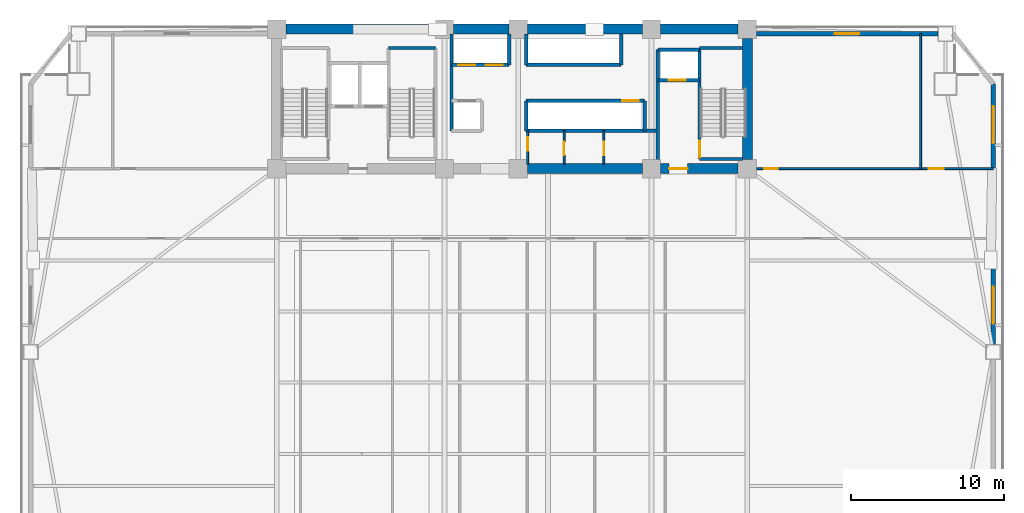
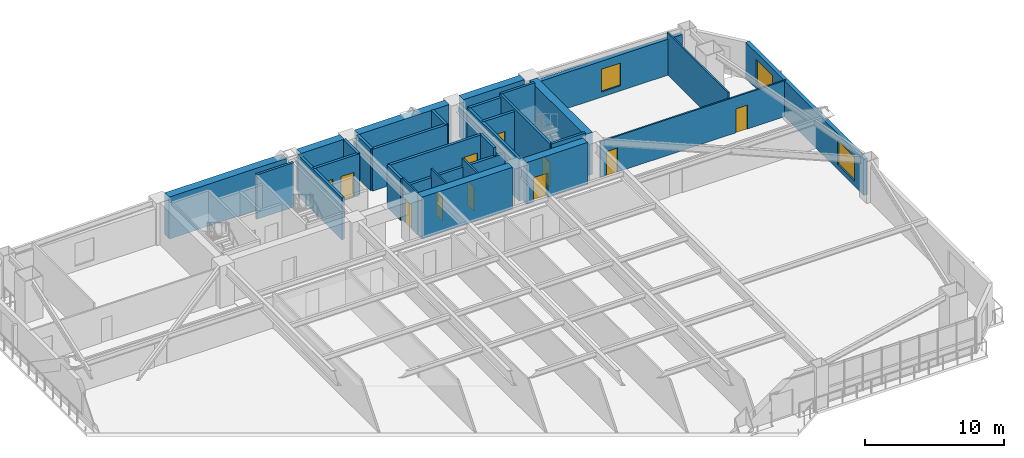
# One storey, part 11 of 18: 31 walls, 11 doors, 3 windows, 14 openings.
"""IFC4 building model written with IfcOpenShell, lengths in metres."""

from ifc_helpers import new_model, si_unit, direction, frame, frame_2d, origin, place, context, subcontext, project, spatial, rectangle, extrude, source, transform, mapped, material, layer, layer_set, type_object, element, fill, save


model = new_model("IFC4")

# Units and contexts
model_context = context("Model", 3, precision=1e-05, world=origin(), true_north=direction((0.0, 1.0)))
body_context = subcontext(model_context, "Body", "Model", "MODEL_VIEW")
ifc_project = project(units=[si_unit("LENGTHUNIT", "METRE"), si_unit("AREAUNIT", "SQUARE_METRE"), si_unit("VOLUMEUNIT", "CUBIC_METRE"), si_unit("PLANEANGLEUNIT", "RADIAN"), si_unit("MASSUNIT", "GRAM", prefix="KILO")], contexts=[model_context])

# Site, building, storey
site_placement = place(None, origin())
site = spatial("IfcSite", under=ifc_project, at=site_placement, CompositionType="ELEMENT")
building_placement = place(site_placement, origin())
building = spatial("IfcBuilding", under=site, at=building_placement, Name="Giltprow Tower", CompositionType="ELEMENT")
storey_placement = place(building_placement, frame((0.0, 0.0, 65.0)))
storey = spatial("IfcBuildingStorey", under=building, at=storey_placement, Name="L16", CompositionType="ELEMENT", Elevation=65.0)

# Wall, openings, windows
ifc_material_1 = material(Name="Precast concrete C40", Category="concrete")
ifc_layer_1 = layer(ifc_material_1, 0.320068359375, Name="Precast concrete C40")
ifc_layer_set_1 = layer_set([ifc_layer_1], Name="Precast concrete C40")
wall_type_1 = type_object("IfcWallType", Name="EW-TOW-STONE-320", PredefinedType="SOLIDWALL", material=ifc_layer_set_1)
wall_1_placement = place(storey_placement, frame((66.595947265625, 25.990966796875, 0.0), z_axis=(0.0, 0.0, 1.0), x_axis=(0.0, 1.0, 0.0)))
wall_1 = element("IfcWall", 1, at=wall_1_placement, inside=storey, type_object=wall_type_1, Name="L16 E Wing Masonry Wall 2", PredefinedType="SOLIDWALL", context=body_context, shape_type="SweptSolid", body=[
    extrude(rectangle(XDim=16.987060546875, YDim=0.320068359375, at=frame_2d((8.49365234375, 0.0))), origin(), (0.0, 0.0, 1.0), 3.159912109375),
])
opening_1_placement = place(wall_1_placement, frame((1.35302734375, 0.0, 0.449951171875)))
opening_1 = element("IfcOpeningElement", 2, at=opening_1_placement, cuts=wall_1, Name="Opening WN29", PredefinedType="OPENING", context=body_context, shape_type="SweptSolid", body=[
    extrude(rectangle(XDim=2.39990234375, YDim=2.10009765625, at=frame_2d((1.199951171875, 1.050048828125))), frame((0.0, 0.169921875, 0.0), z_axis=(0.0, -1.0, 0.0), x_axis=(1.0, 0.0, 0.0)), (0.0, 0.0, 1.0), 0.340087890625),
])
opening_2_placement = place(wall_1_placement, frame((13.116943359375, 0.0, 0.449951171875)))
opening_2 = element("IfcOpeningElement", 3, at=opening_2_placement, cuts=wall_1, Name="Opening WN29", PredefinedType="OPENING", context=body_context, shape_type="SweptSolid", body=[
    extrude(rectangle(XDim=2.39990234375, YDim=2.10009765625, at=frame_2d((1.199951171875, 1.050048828125))), frame((0.0, 0.169921875, 0.0), z_axis=(0.0, -1.0, 0.0), x_axis=(1.0, 0.0, 0.0)), (0.0, 0.0, 1.0), 0.340087890625),
])
ifc_material_2 = material(Name="Insulated glass", Category="glass")
window_type_1 = type_object("IfcWindowType", Name="WN-OFF-2400x2100", PartitioningType="DOUBLE_PANEL_VERTICAL", PredefinedType="WINDOW", material=ifc_material_2)
shared_shape_1 = source(origin(), body_context, "Body", "SweptSolid", [
    extrude(rectangle(XDim=2.39990234375, YDim=2.10009765625, at=frame_2d((1.199951171875, 1.050048828125))), frame((0.0, 0.030029296875, 0.0), z_axis=(0.0, -1.0, 0.0), x_axis=(1.0, 0.0, 0.0)), (0.0, 0.0, 1.0), 0.06005859375),
])
window_1_placement = place(opening_1_placement, origin())
window_1 = element("IfcWindow", 4, at=window_1_placement, inside=storey, type_object=window_type_1, Name="L16 E Wing Window 2-1", OverallHeight=2.10009765625, OverallWidth=2.39990234375, PartitioningType="SINGLE_PANEL", PredefinedType="WINDOW", context=body_context, shape_type="MappedRepresentation", body=[
    mapped(shared_shape_1, transform((0.0, 0.0, 0.0), x_axis=(1.0, 0.0, 0.0), y_axis=(0.0, 1.0, 0.0), z_axis=(0.0, 0.0, 1.0), scale=1.0)),
])
fill(opening_1, window_1)
window_2_placement = place(opening_2_placement, origin())
window_2 = element("IfcWindow", 5, at=window_2_placement, inside=storey, type_object=window_type_1, Name="L16 E Wing Window 2-2", OverallHeight=2.10009765625, OverallWidth=2.39990234375, PartitioningType="SINGLE_PANEL", PredefinedType="WINDOW", context=body_context, shape_type="MappedRepresentation", body=[
    mapped(shared_shape_1, transform((0.0, 0.0, 0.0), x_axis=(1.0, 0.0, 0.0), y_axis=(0.0, 1.0, 0.0), z_axis=(0.0, 0.0, 1.0), scale=1.0)),
])
fill(opening_2, window_2)

# Wall, opening, window
wall_2_placement = place(storey_placement, frame((51.14990234375, 46.25, 0.0), z_axis=(0.0, 0.0, 1.0), x_axis=(1.0, 0.0, 0.0)))
wall_2 = element("IfcWall", 6, at=wall_2_placement, inside=storey, type_object=wall_type_1, Name="L16 North-East Wing Wall", PredefinedType="SOLIDWALL", context=body_context, shape_type="SweptSolid", body=[
    extrude(rectangle(XDim=11.82421875, YDim=0.320068359375, at=frame_2d((5.912109375, 0.0))), origin(), (0.0, 0.0, 1.0), 3.159912109375),
])
opening_3_placement = place(wall_2_placement, frame((5.112060546875, 0.0, 0.449951171875)))
opening_3 = element("IfcOpeningElement", 7, at=opening_3_placement, cuts=wall_2, Name="Opening WN17", PredefinedType="OPENING", context=body_context, shape_type="SweptSolid", body=[
    extrude(rectangle(XDim=1.60009765625, YDim=2.0, at=frame_2d((0.800048828125, 1.0))), frame((0.0, 0.169921875, 0.0), z_axis=(0.0, -1.0, 0.0), x_axis=(1.0, 0.0, 0.0)), (0.0, 0.0, 1.0), 0.340087890625),
])
window_type_2 = type_object("IfcWindowType", Name="WN-COR-1600x2000", PartitioningType="SINGLE_PANEL", PredefinedType="WINDOW", material=ifc_material_2)
shared_shape_2 = source(origin(), body_context, "Body", "SweptSolid", [
    extrude(rectangle(XDim=1.60009765625, YDim=2.0, at=frame_2d((0.800048828125, 1.0))), frame((0.0, 0.030029296875, 0.0), z_axis=(0.0, -1.0, 0.0), x_axis=(1.0, 0.0, 0.0)), (0.0, 0.0, 1.0), 0.06005859375),
])
window_3_placement = place(opening_3_placement, origin())
window_3 = element("IfcWindow", 8, at=window_3_placement, inside=storey, type_object=window_type_2, Name="L16 North-East Window", OverallHeight=2.0, OverallWidth=1.60009765625, PartitioningType="SINGLE_PANEL", PredefinedType="WINDOW", context=body_context, shape_type="MappedRepresentation", body=[
    mapped(shared_shape_2, transform((0.0, 0.0, 0.0), x_axis=(1.0, 0.0, 0.0), y_axis=(0.0, 1.0, 0.0), z_axis=(0.0, 0.0, 1.0), scale=1.0)),
])
fill(opening_3, window_3)

# Wall, opening, door
ifc_material_3 = material(Name="Concrete C40", Category="concrete")
ifc_layer_2 = layer(ifc_material_3, 0.219970703125, Name="Concrete C40")
ifc_layer_set_2 = layer_set([ifc_layer_2], Name="Concrete C40")
wall_type_2 = type_object("IfcWallType", Name="IW-SHAFT-220", PredefinedType="SOLIDWALL", material=ifc_layer_set_2)
wall_3_placement = place(storey_placement, frame((44.719970703125, 43.219970703125, 0.0), z_axis=(0.0, 0.0, 1.0), x_axis=(1.0, 0.0, 0.0)))
wall_3 = element("IfcWall", 9, at=wall_3_placement, inside=storey, type_object=wall_type_2, Name="L16 FFL2 Front Shaft Wall", PredefinedType="SOLIDWALL", context=body_context, shape_type="SweptSolid", body=[
    extrude(rectangle(XDim=2.719970703125, YDim=0.219970703125, at=frame_2d((1.35986328125, 0.0))), origin(), (0.0, 0.0, 1.0), 3.679931640625),
])
opening_4_placement = place(wall_3_placement, frame((0.699951171875, 0.0, 0.0)))
opening_4 = element("IfcOpeningElement", 10, at=opening_4_placement, cuts=wall_3, Name="Opening LD-11", PredefinedType="OPENING", context=body_context, shape_type="SweptSolid", body=[
    extrude(rectangle(XDim=1.10009765625, YDim=2.199951171875, at=frame_2d((0.550048828125, 1.10009765625))), frame((0.0, 0.119873046875, 0.0), z_axis=(0.0, -1.0, 0.0), x_axis=(1.0, 0.0, 0.0)), (0.0, 0.0, 1.0), 0.239990234375),
])
ifc_material_4 = material(Name="Stainless steel", Category="steel")
door_type_1 = type_object("IfcDoorType", Name="DR-LIFT-LD1100", OperationType="SLIDING_TO_LEFT", PredefinedType="DOOR", material=ifc_material_4)
shared_shape_3 = source(origin(), body_context, "Body", "SweptSolid", [
    extrude(rectangle(XDim=1.10009765625, YDim=2.199951171875, at=frame_2d((0.550048828125, 1.10009765625))), frame((0.0, 0.02490234375, 0.0), z_axis=(0.0, -1.0, 0.0), x_axis=(1.0, 0.0, 0.0)), (0.0, 0.0, 1.0), 0.050048828125),
])
door_1_placement = place(opening_4_placement, origin())
door_1 = element("IfcDoor", 11, at=door_1_placement, inside=storey, type_object=door_type_1, Name="L16 FFL2 Landing Door", OperationType="SLIDING_TO_LEFT", OverallHeight=2.199951171875, OverallWidth=1.10009765625, PredefinedType="DOOR", context=body_context, shape_type="MappedRepresentation", body=[
    mapped(shared_shape_3, transform((0.0, 0.0, 0.0), x_axis=(1.0, 0.0, 0.0), y_axis=(0.0, 1.0, 0.0), z_axis=(0.0, 0.0, 1.0), scale=1.0)),
])
fill(opening_4, door_1)

# Walls
wall_4_placement = place(storey_placement, frame((44.719970703125, 45.219970703125, 0.0), z_axis=(0.0, 0.0, 1.0), x_axis=(1.0, 0.0, 0.0)))
element("IfcWall", 12, at=wall_4_placement, inside=storey, type_object=wall_type_2, Name="L16 FFL2 Back Shaft Wall", PredefinedType="SOLIDWALL", context=body_context, shape_type="SweptSolid", body=[
    extrude(rectangle(XDim=2.719970703125, YDim=0.219970703125, at=frame_2d((1.35986328125, 0.0))), origin(), (0.0, 0.0, 1.0), 3.679931640625),
])
wall_5_placement = place(storey_placement, frame((44.719970703125, 37.7548828125, 0.0), z_axis=(0.0, 0.0, 1.0), x_axis=(0.0, 1.0, 0.0)))
element("IfcWall", 13, at=wall_5_placement, inside=storey, type_object=wall_type_2, Name="L16 East Firefighting Lobby West Wall", PredefinedType="SOLIDWALL", context=body_context, shape_type="SweptSolid", body=[
    extrude(rectangle(XDim=7.465087890625, YDim=0.219970703125, at=frame_2d((3.732421875, 0.0))), origin(), (0.0, 0.0, 1.0), 3.679931640625),
])

# Wall, openings, doors
wall_6_placement = place(storey_placement, frame((31.25, 44.219970703125, 0.0), z_axis=(0.0, 0.0, 1.0), x_axis=(1.0, 0.0, 0.0)))
wall_6 = element("IfcWall", 14, at=wall_6_placement, inside=storey, type_object=wall_type_2, Name="L16 North West Lift Shaft Front Wall", PredefinedType="SOLIDWALL", context=body_context, shape_type="SweptSolid", body=[
    extrude(rectangle(XDim=3.77001953125, YDim=0.219970703125, at=frame_2d((1.885009765625, 0.0))), origin(), (0.0, 0.0, 1.0), 3.679931640625),
])
opening_5_placement = place(wall_6_placement, frame((0.4599609375, 0.0, 0.0)))
opening_5 = element("IfcOpeningElement", 15, at=opening_5_placement, cuts=wall_6, Name="Opening LD-11", PredefinedType="OPENING", context=body_context, shape_type="SweptSolid", body=[
    extrude(rectangle(XDim=1.10009765625, YDim=2.199951171875, at=frame_2d((0.550048828125, 1.10009765625))), frame((0.0, 0.119873046875, 0.0), z_axis=(0.0, -1.0, 0.0), x_axis=(1.0, 0.0, 0.0)), (0.0, 0.0, 1.0), 0.239990234375),
])
opening_6_placement = place(wall_6_placement, frame((2.239990234375, 0.0, 0.0)))
opening_6 = element("IfcOpeningElement", 16, at=opening_6_placement, cuts=wall_6, Name="Opening LD-11", PredefinedType="OPENING", context=body_context, shape_type="SweptSolid", body=[
    extrude(rectangle(XDim=1.10009765625, YDim=2.199951171875, at=frame_2d((0.550048828125, 1.10009765625))), frame((0.0, 0.119873046875, 0.0), z_axis=(0.0, -1.0, 0.0), x_axis=(1.0, 0.0, 0.0)), (0.0, 0.0, 1.0), 0.239990234375),
])
door_2_placement = place(opening_5_placement, origin())
door_2 = element("IfcDoor", 17, at=door_2_placement, inside=storey, type_object=door_type_1, Name="L16 PL-L1 Landing Door", OperationType="SLIDING_TO_LEFT", OverallHeight=2.199951171875, OverallWidth=1.10009765625, PredefinedType="DOOR", context=body_context, shape_type="MappedRepresentation", body=[
    mapped(shared_shape_3, transform((0.0, 0.0, 0.0), x_axis=(1.0, 0.0, 0.0), y_axis=(0.0, 1.0, 0.0), z_axis=(0.0, 0.0, 1.0), scale=1.0)),
])
fill(opening_5, door_2)
door_3_placement = place(opening_6_placement, origin())
door_3 = element("IfcDoor", 18, at=door_3_placement, inside=storey, type_object=door_type_1, Name="L16 PL-L2 Landing Door", OperationType="SLIDING_TO_LEFT", OverallHeight=2.199951171875, OverallWidth=1.10009765625, PredefinedType="DOOR", context=body_context, shape_type="MappedRepresentation", body=[
    mapped(shared_shape_3, transform((0.0, 0.0, 0.0), x_axis=(1.0, 0.0, 0.0), y_axis=(0.0, 1.0, 0.0), z_axis=(0.0, 0.0, 1.0), scale=1.0)),
])
fill(opening_6, door_3)

# Walls
wall_7_placement = place(storey_placement, frame((36.1201171875, 44.219970703125, 0.0), z_axis=(0.0, 0.0, 1.0), x_axis=(1.0, 0.0, 0.0)))
element("IfcWall", 19, at=wall_7_placement, inside=storey, type_object=wall_type_2, Name="L16 North East Lift Shaft Front Wall", PredefinedType="SOLIDWALL", context=body_context, shape_type="SweptSolid", body=[
    extrude(rectangle(XDim=6.199951171875, YDim=0.219970703125, at=frame_2d((3.10009765625, 0.0))), origin(), (0.0, 0.0, 1.0), 3.679931640625),
])
for number, where, z_axis, x_axis, name in (
    (20, (35.02001953125, 44.219970703125, 0.0), (0.0, 0.0, 1.0), (0.0, 1.0, 0.0), "L16 North West Lift Shaft East Closure"),
    (21, (36.1201171875, 44.219970703125, 0.0), (0.0, 0.0, 1.0), (0.0, 1.0, 0.0), "L16 North East Lift Shaft West Closure"),
    (22, (42.320068359375, 44.219970703125, 0.0), (0.0, 0.0, 1.0), (0.0, 1.0, 0.0), "L16 North East Lift Shaft East Closure"),
):
    element("IfcWall", number, at=place(storey_placement, frame(where, z_axis=z_axis, x_axis=x_axis)), inside=storey, type_object=wall_type_2, Name=name, PredefinedType="SOLIDWALL", context=body_context, shape_type="SweptSolid", body=[
        extrude(rectangle(XDim=2.025146484375, YDim=0.219970703125, at=frame_2d((1.0126953125, 0.0))), origin(), (0.0, 0.0, 1.0), 3.679931640625),
    ])

# Wall, opening, door
wall_8_placement = place(storey_placement, frame((36.1201171875, 41.8798828125, 0.0), z_axis=(0.0, 0.0, 1.0), x_axis=(1.0, 0.0, 0.0)))
wall_8 = element("IfcWall", 23, at=wall_8_placement, inside=storey, type_object=wall_type_2, Name="L16 South East Lift Shaft Front Wall", PredefinedType="SOLIDWALL", context=body_context, shape_type="SweptSolid", body=[
    extrude(rectangle(XDim=7.72998046875, YDim=0.219970703125, at=frame_2d((3.864990234375, 0.0))), origin(), (0.0, 0.0, 1.0), 3.679931640625),
])
opening_7_placement = place(wall_8_placement, frame((6.260009765625, 0.0, 0.0)))
opening_7 = element("IfcOpeningElement", 24, at=opening_7_placement, cuts=wall_8, Name="Opening LD-11", PredefinedType="OPENING", context=body_context, shape_type="SweptSolid", body=[
    extrude(rectangle(XDim=1.10009765625, YDim=2.199951171875, at=frame_2d((0.550048828125, 1.10009765625))), frame((0.0, 0.119873046875, 0.0), z_axis=(0.0, -1.0, 0.0), x_axis=(1.0, 0.0, 0.0)), (0.0, 0.0, 1.0), 0.239990234375),
])
door_4_placement = place(opening_7_placement, origin())
door_4 = element("IfcDoor", 25, at=door_4_placement, inside=storey, type_object=door_type_1, Name="L16 PL-L4 Landing Door", OperationType="SLIDING_TO_LEFT", OverallHeight=2.199951171875, OverallWidth=1.10009765625, PredefinedType="DOOR", context=body_context, shape_type="MappedRepresentation", body=[
    mapped(shared_shape_3, transform((0.0, 0.0, 0.0), x_axis=(1.0, 0.0, 0.0), y_axis=(0.0, 1.0, 0.0), z_axis=(0.0, 0.0, 1.0), scale=1.0)),
])
fill(opening_7, door_4)

# Walls
wall_9_placement = place(storey_placement, frame((36.1201171875, 39.919921875, 0.0), z_axis=(0.0, 0.0, 1.0), x_axis=(1.0, 0.0, 0.0)))
element("IfcWall", 26, at=wall_9_placement, inside=storey, type_object=wall_type_2, Name="L16 Express South Shaft Back Wall", PredefinedType="SOLIDWALL", context=body_context, shape_type="SweptSolid", body=[
    extrude(rectangle(XDim=8.599853515625, YDim=0.219970703125, at=frame_2d((4.2998046875, 0.0))), origin(), (0.0, 0.0, 1.0), 2.965087890625),
])
wall_10_placement = place(storey_placement, frame((36.1201171875, 39.919921875, 0.0), z_axis=(0.0, 0.0, 1.0), x_axis=(0.0, 1.0, 0.0)))
element("IfcWall", 27, at=wall_10_placement, inside=storey, type_object=wall_type_2, Name="L16 Express South Shaft West Closure", PredefinedType="SOLIDWALL", context=body_context, shape_type="SweptSolid", body=[
    extrude(rectangle(XDim=1.9599609375, YDim=0.219970703125, at=frame_2d((0.97998046875, 0.0))), origin(), (0.0, 0.0, 1.0), 3.679931640625),
])
wall_11_placement = place(storey_placement, frame((31.25, 39.919921875, 0.0), z_axis=(0.0, 0.0, 1.0), x_axis=(0.0, 1.0, 0.0)))
element("IfcWall", 28, at=wall_11_placement, inside=storey, type_object=wall_type_2, Name="L16 Lift Bank West Closure", PredefinedType="SOLIDWALL", context=body_context, shape_type="SweptSolid", body=[
    extrude(rectangle(XDim=6.3251953125, YDim=0.219970703125, at=frame_2d((3.16259765625, 0.0))), origin(), (0.0, 0.0, 1.0), 3.679931640625),
])
wall_12_placement = place(storey_placement, frame((43.85009765625, 39.919921875, 0.0), z_axis=(0.0, 0.0, 1.0), x_axis=(0.0, 1.0, 0.0)))
element("IfcWall", 29, at=wall_12_placement, inside=storey, type_object=wall_type_2, Name="L16 Lift Bank South-East Closure", PredefinedType="SOLIDWALL", context=body_context, shape_type="SweptSolid", body=[
    extrude(rectangle(XDim=1.9599609375, YDim=0.219970703125, at=frame_2d((0.97998046875, 0.0))), origin(), (0.0, 0.0, 1.0), 3.679931640625),
])
ifc_layer_3 = layer(ifc_material_3, 0.199951171875, Name="Concrete C40")
ifc_layer_set_3 = layer_set([ifc_layer_3], Name="Concrete C40")
wall_type_3 = type_object("IfcWallType", Name="IW-STAIR-200", PredefinedType="SOLIDWALL", material=ifc_layer_set_3)
wall_13_placement = place(storey_placement, frame((27.139892578125, 45.320068359375, 0.0), z_axis=(0.0, 0.0, 1.0), x_axis=(1.0, 0.0, 0.0)))
element("IfcWall", 30, at=wall_13_placement, inside=storey, type_object=wall_type_3, Name="L16 Stair ST-2 North Bearing Wall", PredefinedType="SOLIDWALL", context=body_context, shape_type="SweptSolid", body=[
    extrude(rectangle(XDim=3.080078125, YDim=0.199951171875, at=frame_2d((1.5400390625, 0.0))), origin(), (0.0, 0.0, 1.0), 3.89990234375),
])

# Wall, opening, door
wall_14_placement = place(storey_placement, frame((47.43994140625, 38.070068359375, 0.0), z_axis=(0.0, 0.0, 1.0), x_axis=(0.0, 1.0, 0.0)))
wall_14 = element("IfcWall", 31, at=wall_14_placement, inside=storey, type_object=wall_type_3, Name="L16 Stair ST-3 West Bearing Wall", PredefinedType="SOLIDWALL", context=body_context, shape_type="SweptSolid", body=[
    extrude(rectangle(XDim=7.25, YDim=0.199951171875, at=frame_2d((3.625, 0.0))), origin(), (0.0, 0.0, 1.0), 3.89990234375),
])
opening_8_placement = place(wall_14_placement, frame((0.110107421875, 0.0, 0.0)))
opening_8 = element("IfcOpeningElement", 32, at=opening_8_placement, cuts=wall_14, Name="Opening ID33", PredefinedType="OPENING", context=body_context, shape_type="SweptSolid", body=[
    extrude(rectangle(XDim=1.10009765625, YDim=2.14990234375, at=frame_2d((0.550048828125, 1.074951171875))), frame((0.0, 0.10986328125, 0.0), z_axis=(0.0, -1.0, 0.0), x_axis=(1.0, 0.0, 0.0)), (0.0, 0.0, 1.0), 0.219970703125),
])
ifc_material_5 = material(Name="Steel fire leaf", Category="steel")
door_type_2 = type_object("IfcDoorType", Name="DR-STAIR-1100", OperationType="SINGLE_SWING_LEFT", PredefinedType="DOOR", material=ifc_material_5)
shared_shape_4 = source(origin(), body_context, "Body", "SweptSolid", [
    extrude(rectangle(XDim=1.10009765625, YDim=2.14990234375, at=frame_2d((0.550048828125, 1.074951171875))), frame((0.0, 0.02490234375, 0.0), z_axis=(0.0, -1.0, 0.0), x_axis=(1.0, 0.0, 0.0)), (0.0, 0.0, 1.0), 0.050048828125),
])
door_5_placement = place(opening_8_placement, origin())
door_5 = element("IfcDoor", 33, at=door_5_placement, inside=storey, type_object=door_type_2, Name="L16 Stair ST-3 Fire Door", OperationType="SINGLE_SWING_LEFT", OverallHeight=2.14990234375, OverallWidth=1.10009765625, PredefinedType="DOOR", context=body_context, shape_type="MappedRepresentation", body=[
    mapped(shared_shape_4, transform((0.0, 0.0, 0.0), x_axis=(1.0, 0.0, 0.0), y_axis=(0.0, 1.0, 0.0), z_axis=(0.0, 0.0, 1.0), scale=1.0)),
])
fill(opening_8, door_5)

# Walls
for number, where, z_axis, x_axis, name in (
    (34, (47.43994140625, 45.320068359375, 0.0), (0.0, 0.0, 1.0), (1.0, 0.0, 0.0), "L16 Stair ST-3 North Bearing Wall"),
    (35, (47.43994140625, 38.070068359375, 0.0), (0.0, 0.0, 1.0), (1.0, 0.0, 0.0), "L16 Stair ST-3 South Bearing Wall"),
):
    element("IfcWall", number, at=place(storey_placement, frame(where, z_axis=z_axis, x_axis=x_axis)), inside=storey, type_object=wall_type_3, Name=name, PredefinedType="SOLIDWALL", context=body_context, shape_type="SweptSolid", body=[
        extrude(rectangle(XDim=2.80517578125, YDim=0.199951171875, at=frame_2d((1.402587890625, 0.0))), origin(), (0.0, 0.0, 1.0), 3.89990234375),
    ])

# Wall, opening, door
ifc_material_6 = material(Name="Concrete C30", Category="concrete")
ifc_layer_4 = layer(ifc_material_6, 0.1298828125, Name="Concrete C30")
ifc_layer_set_4 = layer_set([ifc_layer_4], Name="Concrete C30")
wall_type_4 = type_object("IfcWallType", Name="IW-WET-130", PredefinedType="PARTITIONING", material=ifc_layer_set_4)
wall_15_placement = place(storey_placement, frame((36.219970703125, 37.7548828125, 0.0), z_axis=(0.0, 0.0, 1.0), x_axis=(0.0, 1.0, 0.0)))
wall_15 = element("IfcWall", 36, at=wall_15_placement, inside=storey, type_object=wall_type_4, Name="L16 Core Suite West Wall", PredefinedType="PARTITIONING", context=body_context, shape_type="SweptSolid", body=[
    extrude(rectangle(XDim=2.1650390625, YDim=0.1298828125, at=frame_2d((1.08251953125, 0.0))), origin(), (0.0, 0.0, 1.0), 3.679931640625),
])
opening_9_placement = place(wall_15_placement, frame((0.85498046875, 0.0, 0.0)))
opening_9 = element("IfcOpeningElement", 37, at=opening_9_placement, cuts=wall_15, Name="Opening ID35", PredefinedType="OPENING", context=body_context, shape_type="SweptSolid", body=[
    extrude(rectangle(XDim=0.89990234375, YDim=2.10009765625, at=frame_2d((0.449951171875, 1.050048828125))), frame((0.0, 0.074951171875, 0.0), z_axis=(0.0, -1.0, 0.0), x_axis=(1.0, 0.0, 0.0)), (0.0, 0.0, 1.0), 0.14990234375),
])
door_type_3 = type_object("IfcDoorType", Name="DR-SHAFT-900", OperationType="SINGLE_SWING_LEFT", PredefinedType="DOOR", material=ifc_material_5)
shared_shape_5 = source(origin(), body_context, "Body", "SweptSolid", [
    extrude(rectangle(XDim=0.89990234375, YDim=2.10009765625, at=frame_2d((0.449951171875, 1.050048828125))), frame((0.0, 0.02490234375, 0.0), z_axis=(0.0, -1.0, 0.0), x_axis=(1.0, 0.0, 0.0)), (0.0, 0.0, 1.0), 0.050048828125),
])
door_6_placement = place(opening_9_placement, origin())
door_6 = element("IfcDoor", 38, at=door_6_placement, inside=storey, type_object=door_type_3, Name="L16 Core Washroom 1 Door", OperationType="SINGLE_SWING_RIGHT", OverallHeight=2.10009765625, OverallWidth=0.89990234375, PredefinedType="DOOR", context=body_context, shape_type="MappedRepresentation", body=[
    mapped(shared_shape_5, transform((0.0, 0.0, 0.0), x_axis=(1.0, 0.0, 0.0), y_axis=(0.0, 1.0, 0.0), z_axis=(0.0, 0.0, 1.0), scale=1.0)),
])
fill(opening_9, door_6)

wall_16_placement = place(storey_placement, frame((38.60009765625, 37.7548828125, 0.0), z_axis=(0.0, 0.0, 1.0), x_axis=(0.0, 1.0, 0.0)))
wall_16 = element("IfcWall", 39, at=wall_16_placement, inside=storey, type_object=wall_type_4, Name="L16 Core Suite Divider 1", PredefinedType="PARTITIONING", context=body_context, shape_type="SweptSolid", body=[
    extrude(rectangle(XDim=2.1650390625, YDim=0.1298828125, at=frame_2d((1.08251953125, 0.0))), origin(), (0.0, 0.0, 1.0), 3.679931640625),
])
opening_10_placement = place(wall_16_placement, frame((0.56494140625, 0.0, 0.0)))
opening_10 = element("IfcOpeningElement", 40, at=opening_10_placement, cuts=wall_16, Name="Opening ID35", PredefinedType="OPENING", context=body_context, shape_type="SweptSolid", body=[
    extrude(rectangle(XDim=0.89990234375, YDim=2.10009765625, at=frame_2d((0.449951171875, 1.050048828125))), frame((0.0, 0.074951171875, 0.0), z_axis=(0.0, -1.0, 0.0), x_axis=(1.0, 0.0, 0.0)), (0.0, 0.0, 1.0), 0.14990234375),
])
door_7_placement = place(opening_10_placement, origin())
door_7 = element("IfcDoor", 41, at=door_7_placement, inside=storey, type_object=door_type_3, Name="L16 Core Stationery Room Door", OperationType="SINGLE_SWING_LEFT", OverallHeight=2.10009765625, OverallWidth=0.89990234375, PredefinedType="DOOR", context=body_context, shape_type="MappedRepresentation", body=[
    mapped(shared_shape_5, transform((0.0, 0.0, 0.0), x_axis=(1.0, 0.0, 0.0), y_axis=(0.0, 1.0, 0.0), z_axis=(0.0, 0.0, 1.0), scale=1.0)),
])
fill(opening_10, door_7)

wall_17_placement = place(storey_placement, frame((41.199951171875, 37.7548828125, 0.0), z_axis=(0.0, 0.0, 1.0), x_axis=(0.0, 1.0, 0.0)))
wall_17 = element("IfcWall", 42, at=wall_17_placement, inside=storey, type_object=wall_type_4, Name="L16 Core Suite Divider 2", PredefinedType="PARTITIONING", context=body_context, shape_type="SweptSolid", body=[
    extrude(rectangle(XDim=2.1650390625, YDim=0.1298828125, at=frame_2d((1.08251953125, 0.0))), origin(), (0.0, 0.0, 1.0), 3.679931640625),
])
opening_11_placement = place(wall_17_placement, frame((0.56494140625, 0.0, 0.0)))
opening_11 = element("IfcOpeningElement", 43, at=opening_11_placement, cuts=wall_17, Name="Opening ID35", PredefinedType="OPENING", context=body_context, shape_type="SweptSolid", body=[
    extrude(rectangle(XDim=0.89990234375, YDim=2.10009765625, at=frame_2d((0.449951171875, 1.050048828125))), frame((0.0, 0.074951171875, 0.0), z_axis=(0.0, -1.0, 0.0), x_axis=(1.0, 0.0, 0.0)), (0.0, 0.0, 1.0), 0.14990234375),
])
door_8_placement = place(opening_11_placement, origin())
door_8 = element("IfcDoor", 44, at=door_8_placement, inside=storey, type_object=door_type_3, Name="L16 Core Archive Room Door", OperationType="SINGLE_SWING_RIGHT", OverallHeight=2.10009765625, OverallWidth=0.89990234375, PredefinedType="DOOR", context=body_context, shape_type="MappedRepresentation", body=[
    mapped(shared_shape_5, transform((0.0, 0.0, 0.0), x_axis=(1.0, 0.0, 0.0), y_axis=(0.0, 1.0, 0.0), z_axis=(0.0, 0.0, 1.0), scale=1.0)),
])
fill(opening_11, door_8)

# Wall, openings, doors
wall_18_placement = place(storey_placement, frame((51.14990234375, 37.449951171875, 0.0), z_axis=(0.0, 0.0, 1.0), x_axis=(1.0, 0.0, 0.0)))
wall_18 = element("IfcWall", 45, at=wall_18_placement, inside=storey, type_object=wall_type_4, Name="L16 NE Wing South Wall", PredefinedType="PARTITIONING", context=body_context, shape_type="SweptSolid", body=[
    extrude(rectangle(XDim=15.446044921875, YDim=0.1298828125, at=frame_2d((7.72314453125, 0.0))), origin(), (0.0, 0.0, 1.0), 3.1650390625),
])
opening_12_placement = place(wall_18_placement, frame((0.5, 0.0, 0.0)))
opening_12 = element("IfcOpeningElement", 46, at=opening_12_placement, cuts=wall_18, Name="Opening ID15", PredefinedType="OPENING", context=body_context, shape_type="SweptSolid", body=[
    extrude(rectangle(XDim=0.89990234375, YDim=2.10009765625, at=frame_2d((0.449951171875, 1.050048828125))), frame((0.0, 0.074951171875, 0.0), z_axis=(0.0, -1.0, 0.0), x_axis=(1.0, 0.0, 0.0)), (0.0, 0.0, 1.0), 0.14990234375),
])
opening_13_placement = place(wall_18_placement, frame((11.251953125, 0.0, 0.0)))
opening_13 = element("IfcOpeningElement", 47, at=opening_13_placement, cuts=wall_18, Name="Opening ID11", PredefinedType="OPENING", context=body_context, shape_type="SweptSolid", body=[
    extrude(rectangle(XDim=0.949951171875, YDim=2.10009765625, at=frame_2d((0.47509765625, 1.050048828125))), frame((0.0, 0.074951171875, 0.0), z_axis=(0.0, -1.0, 0.0), x_axis=(1.0, 0.0, 0.0)), (0.0, 0.0, 1.0), 0.14990234375),
])
ifc_material_7 = material(Name="Engineered timber", Category="wood")
door_type_4 = type_object("IfcDoorType", Name="DR-WC-900", OperationType="SINGLE_SWING_LEFT", PredefinedType="DOOR", material=ifc_material_7)
door_9_placement = place(opening_12_placement, origin())
door_9 = element("IfcDoor", 48, at=door_9_placement, inside=storey, type_object=door_type_4, Name="L16 East Wing Washroom Door", OperationType="SINGLE_SWING_RIGHT", OverallHeight=2.10009765625, OverallWidth=0.89990234375, PredefinedType="DOOR", context=body_context, shape_type="MappedRepresentation", body=[
    mapped(shared_shape_5, transform((0.0, 0.0, 0.0), x_axis=(1.0, 0.0, 0.0), y_axis=(0.0, 1.0, 0.0), z_axis=(0.0, 0.0, 1.0), scale=1.0)),
])
fill(opening_12, door_9)
door_type_5 = type_object("IfcDoorType", Name="DR-ROOM-950", OperationType="SINGLE_SWING_RIGHT", PredefinedType="DOOR", material=ifc_material_7)
shared_shape_6 = source(origin(), body_context, "Body", "SweptSolid", [
    extrude(rectangle(XDim=0.949951171875, YDim=2.10009765625, at=frame_2d((0.47509765625, 1.050048828125))), frame((0.0, 0.02490234375, 0.0), z_axis=(0.0, -1.0, 0.0), x_axis=(1.0, 0.0, 0.0)), (0.0, 0.0, 1.0), 0.050048828125),
])
door_10_placement = place(opening_13_placement, origin())
door_10 = element("IfcDoor", 49, at=door_10_placement, inside=storey, type_object=door_type_5, Name="L16 East Tenant Archive Store Door", OperationType="SINGLE_SWING_LEFT", OverallHeight=2.10009765625, OverallWidth=0.949951171875, PredefinedType="DOOR", context=body_context, shape_type="MappedRepresentation", body=[
    mapped(shared_shape_6, transform((0.0, 0.0, 0.0), x_axis=(1.0, 0.0, 0.0), y_axis=(0.0, 1.0, 0.0), z_axis=(0.0, 0.0, 1.0), scale=1.0)),
])
fill(opening_13, door_10)

# Walls
wall_19_placement = place(storey_placement, frame((61.85205078125, 37.449951171875, 0.0), z_axis=(0.0, 0.0, 1.0), x_axis=(0.0, 1.0, 0.0)))
element("IfcWall", 50, at=wall_19_placement, inside=storey, type_object=wall_type_4, Name="L16 NE Wing Divider", PredefinedType="PARTITIONING", context=body_context, shape_type="SweptSolid", body=[
    extrude(rectangle(XDim=8.800048828125, YDim=0.1298828125, at=frame_2d((4.39990234375, 0.0))), origin(), (0.0, 0.0, 1.0), 3.679931640625),
])
ifc_material_8 = material(Name="Concrete C60", Category="concrete")
ifc_layer_5 = layer(ifc_material_8, 0.64990234375, Name="Concrete C60")
ifc_layer_set_5 = layer_set([ifc_layer_5], Name="Concrete C60")
wall_type_5 = type_object("IfcWallType", Name="SW-EXT-650-C60", PredefinedType="SHEAR", material=ifc_layer_set_5)
wall_20_placement = place(storey_placement, frame((20.449951171875, 46.550048828125, 0.0), z_axis=(0.0, 0.0, 1.0), x_axis=(1.0, 0.0, 0.0)))
element("IfcWall", 51, at=wall_20_placement, inside=storey, type_object=wall_type_5, Name="L16 North Rear Core Shear Wall 1", PredefinedType="SHEAR", context=body_context, shape_type="SweptSolid", body=[
    extrude(rectangle(XDim=9.75, YDim=0.64990234375, at=frame_2d((4.875, 0.0))), origin(), (0.0, 0.0, 1.0), 3.679931640625),
])
wall_21_placement = place(storey_placement, frame((31.39990234375, 46.550048828125, 0.0), z_axis=(0.0, 0.0, 1.0), x_axis=(1.0, 0.0, 0.0)))
element("IfcWall", 52, at=wall_21_placement, inside=storey, type_object=wall_type_5, Name="L16 North Rear Core Shear Wall 2", PredefinedType="SHEAR", context=body_context, shape_type="SweptSolid", body=[
    extrude(rectangle(XDim=3.60009765625, YDim=0.64990234375, at=frame_2d((1.800048828125, 0.0))), origin(), (0.0, 0.0, 1.0), 3.679931640625),
])
wall_22_placement = place(storey_placement, frame((36.199951171875, 46.550048828125, 0.0), z_axis=(0.0, 0.0, 1.0), x_axis=(1.0, 0.0, 0.0)))
element("IfcWall", 53, at=wall_22_placement, inside=storey, type_object=wall_type_5, Name="L16 North Rear Core Shear Wall 3", PredefinedType="SHEAR", context=body_context, shape_type="SweptSolid", body=[
    extrude(rectangle(XDim=7.5, YDim=0.64990234375, at=frame_2d((3.75, 0.0))), origin(), (0.0, 0.0, 1.0), 3.679931640625),
])
wall_23_placement = place(storey_placement, frame((44.89990234375, 46.550048828125, 0.0), z_axis=(0.0, 0.0, 1.0), x_axis=(1.0, 0.0, 0.0)))
element("IfcWall", 54, at=wall_23_placement, inside=storey, type_object=wall_type_5, Name="L16 North Rear Core Shear Wall 4", PredefinedType="SHEAR", context=body_context, shape_type="SweptSolid", body=[
    extrude(rectangle(XDim=5.050048828125, YDim=0.64990234375, at=frame_2d((2.52490234375, 0.0))), origin(), (0.0, 0.0, 1.0), 3.679931640625),
])
ifc_layer_6 = layer(ifc_material_8, 0.64990234375, Name="Concrete C60")
ifc_layer_set_6 = layer_set([ifc_layer_6], Name="Concrete C60")
wall_type_6 = type_object("IfcWallType", Name="SW-INT-650-C60", PredefinedType="SHEAR", material=ifc_layer_set_6)
wall_24_placement = place(storey_placement, frame((36.199951171875, 37.449951171875, 0.0), z_axis=(0.0, 0.0, 1.0), x_axis=(1.0, 0.0, 0.0)))
element("IfcWall", 55, at=wall_24_placement, inside=storey, type_object=wall_type_6, Name="L16 South Rear Core Shear Wall Mid-East", PredefinedType="SHEAR", context=body_context, shape_type="SweptSolid", body=[
    extrude(rectangle(XDim=7.5, YDim=0.64990234375, at=frame_2d((3.75, 0.0))), origin(), (0.0, 0.0, 1.0), 3.679931640625),
])

# Wall, opening, door
wall_25_placement = place(storey_placement, frame((44.89990234375, 37.449951171875, 0.0), z_axis=(0.0, 0.0, 1.0), x_axis=(1.0, 0.0, 0.0)))
wall_25 = element("IfcWall", 56, at=wall_25_placement, inside=storey, type_object=wall_type_6, Name="L16 South Rear Core Shear Wall East", PredefinedType="SHEAR", context=body_context, shape_type="SweptSolid", body=[
    extrude(rectangle(XDim=5.050048828125, YDim=0.64990234375, at=frame_2d((2.52490234375, 0.0))), origin(), (0.0, 0.0, 1.0), 3.679931640625),
])
opening_14_placement = place(wall_25_placement, frame((0.550048828125, 0.0, 0.0)))
opening_14 = element("IfcOpeningElement", 57, at=opening_14_placement, cuts=wall_25, Name="Opening ID19", PredefinedType="OPENING", context=body_context, shape_type="SweptSolid", body=[
    extrude(rectangle(XDim=1.199951171875, YDim=2.14990234375, at=frame_2d((0.60009765625, 1.074951171875))), frame((0.0, 0.3349609375, 0.0), z_axis=(0.0, -1.0, 0.0), x_axis=(1.0, 0.0, 0.0)), (0.0, 0.0, 1.0), 0.669921875),
])
door_type_6 = type_object("IfcDoorType", Name="DR-FFLOBBY-1200", OperationType="SINGLE_SWING_RIGHT", PredefinedType="DOOR", material=ifc_material_5)
shared_shape_7 = source(origin(), body_context, "Body", "SweptSolid", [
    extrude(rectangle(XDim=1.199951171875, YDim=2.14990234375, at=frame_2d((0.60009765625, 1.074951171875))), frame((0.0, 0.02490234375, 0.0), z_axis=(0.0, -1.0, 0.0), x_axis=(1.0, 0.0, 0.0)), (0.0, 0.0, 1.0), 0.050048828125),
])
door_11_placement = place(opening_14_placement, origin())
door_11 = element("IfcDoor", 58, at=door_11_placement, inside=storey, type_object=door_type_6, Name="L16 East Firefighting Lobby Entry Door", OperationType="SINGLE_SWING_RIGHT", OverallHeight=2.14990234375, OverallWidth=1.199951171875, PredefinedType="DOOR", context=body_context, shape_type="MappedRepresentation", body=[
    mapped(shared_shape_7, transform((0.0, 0.0, 0.0), x_axis=(1.0, 0.0, 0.0), y_axis=(0.0, 1.0, 0.0), z_axis=(0.0, 0.0, 1.0), scale=1.0)),
])
fill(opening_14, door_11)

# Wall
wall_26_placement = place(storey_placement, frame((50.550048828125, 38.050048828125, 0.0), z_axis=(0.0, 0.0, 1.0), x_axis=(0.0, 1.0, 0.0)))
element("IfcWall", 59, at=wall_26_placement, inside=storey, type_object=wall_type_6, Name="L16 E Rear Core Shear Wall", PredefinedType="SHEAR", context=body_context, shape_type="SweptSolid", body=[
    extrude(rectangle(XDim=7.89990234375, YDim=0.64990234375, at=frame_2d((3.949951171875, 0.0))), origin(), (0.0, 0.0, 1.0), 3.679931640625),
])

save(model, "model.ifc")
